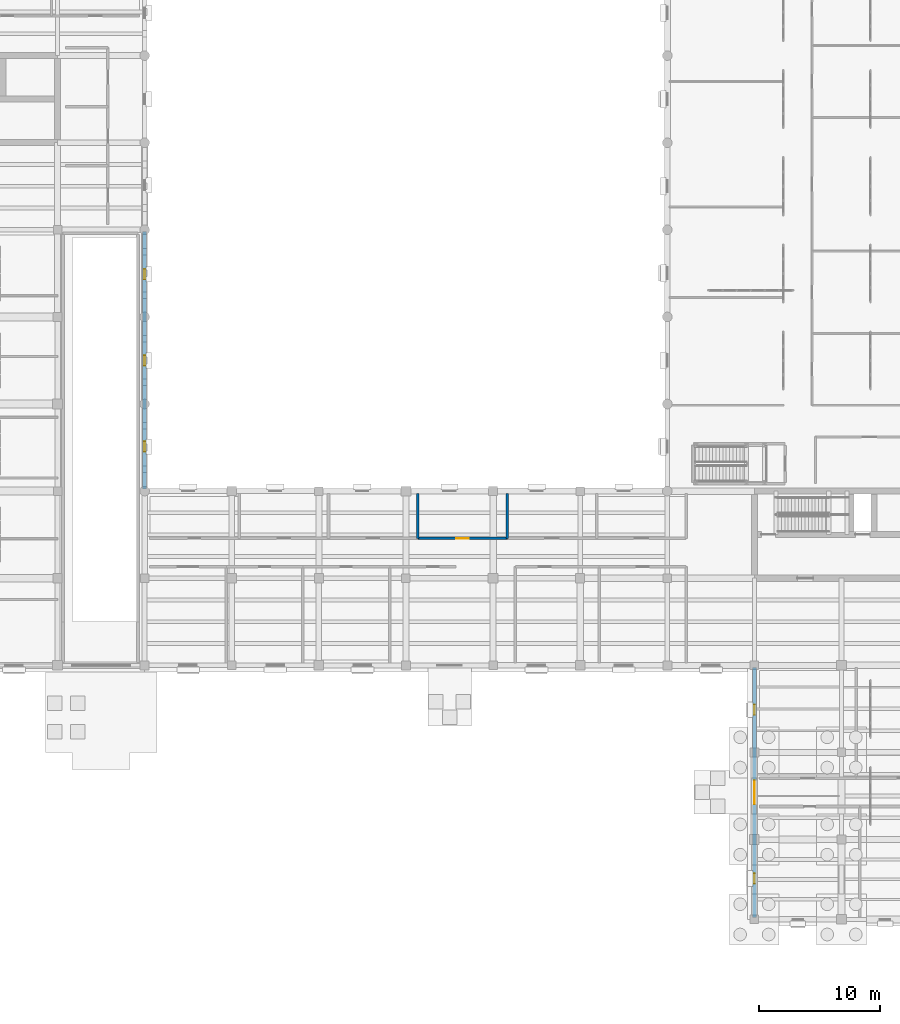
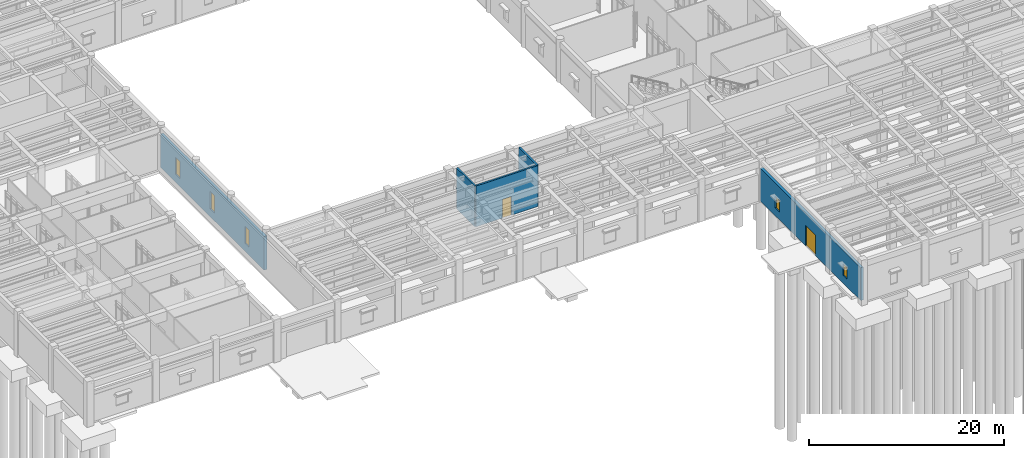
# One storey, part 69 of 100: 5 walls, 5 windows, 2 doors, 7 openings.
"""IFC4 building model written with IfcOpenShell, lengths in metres."""

from ifc_helpers import new_model, si_unit, direction, frame, frame_2d, origin, place, context, subcontext, project, spatial, rectangle, extrude, material, layer, layer_set, type_object, element, fill, save


model = new_model("IFC4")

# Units and contexts
model_context = context("Model", 3, precision=1e-05, world=origin(), true_north=direction((0.0, 1.0)))
body_context = subcontext(model_context, "Body", "Model", "MODEL_VIEW")
ifc_project = project(units=[si_unit("LENGTHUNIT", "METRE"), si_unit("AREAUNIT", "SQUARE_METRE"), si_unit("VOLUMEUNIT", "CUBIC_METRE"), si_unit("PLANEANGLEUNIT", "RADIAN"), si_unit("MASSUNIT", "GRAM", prefix="KILO")], contexts=[model_context])

# Site, building, storey
site_placement = place(None, origin())
site = spatial("IfcSite", under=ifc_project, at=site_placement, CompositionType="ELEMENT")
building_placement = place(site_placement, origin())
building = spatial("IfcBuilding", under=site, at=building_placement, Name="Mithqara Police Headquarters", CompositionType="ELEMENT")
storey_placement = place(building_placement, origin())
storey = spatial("IfcBuildingStorey", under=building, at=storey_placement, Name="L00", CompositionType="ELEMENT", Elevation=0.0)

# Wall, openings, door, windows
ifc_material_1 = material(Name="Limestone ashlar masonry, 45 MPa", Category="masonry")
ifc_layer_1 = layer(ifc_material_1, 0.320068359375, Name="Limestone ashlar masonry, 45 MPa")
ifc_layer_set_1 = layer_set([ifc_layer_1], Name="Limestone ashlar masonry, 45 MPa")
wall_type_1 = type_object("IfcWallType", Name="EXT WALL LIMESTONE320", PredefinedType="SOLIDWALL", material=ifc_layer_set_1)
wall_1_placement = place(storey_placement, frame((79.800048828125, 20.840087890625, 0.0), z_axis=(0.0, 0.0, 1.0), x_axis=(0.0, -1.0, 0.0)))
wall_1 = element("IfcWall", 1, at=wall_1_placement, inside=storey, type_object=wall_type_1, Name="L00 Exterior Wall 1.1", PredefinedType="SOLIDWALL", context=body_context, shape_type="SweptSolid", body=[
    extrude(rectangle(XDim=20.68017578125, YDim=0.320068359375, at=frame_2d((10.340087890625, 0.0))), origin(), (0.0, 0.0, 1.0), 4.1201171875),
])
opening_1_placement = place(wall_1_placement, frame((9.340087890625, 0.0, 0.0)))
opening_1 = element("IfcOpeningElement", 2, at=opening_1_placement, cuts=wall_1, Name="Opening ED-02", PredefinedType="OPENING", context=body_context, shape_type="SweptSolid", body=[
    extrude(rectangle(XDim=2.0, YDim=2.60009765625, at=frame_2d((1.0, 1.300048828125))), frame((0.0, 0.169921875, 0.0), z_axis=(0.0, -1.0, 0.0), x_axis=(1.0, 0.0, 0.0)), (0.0, 0.0, 1.0), 0.340087890625),
])
opening_2_placement = place(wall_1_placement, frame((17.034912109375, 0.0, 1.0)))
opening_2 = element("IfcOpeningElement", 3, at=opening_2_placement, cuts=wall_1, Name="Opening W-01", PredefinedType="OPENING", context=body_context, shape_type="SweptSolid", body=[
    extrude(rectangle(XDim=0.85009765625, YDim=1.39990234375, at=frame_2d((0.425048828125, 0.699951171875))), frame((0.0, 0.169921875, 0.0), z_axis=(0.0, -1.0, 0.0), x_axis=(1.0, 0.0, 0.0)), (0.0, 0.0, 1.0), 0.340087890625),
])
opening_3_placement = place(wall_1_placement, frame((3.094970703125, 0.0, 1.0)))
opening_3 = element("IfcOpeningElement", 4, at=opening_3_placement, cuts=wall_1, Name="Opening W-01", PredefinedType="OPENING", context=body_context, shape_type="SweptSolid", body=[
    extrude(rectangle(XDim=0.85009765625, YDim=1.39990234375, at=frame_2d((0.425048828125, 0.699951171875))), frame((0.0, 0.169921875, 0.0), z_axis=(0.0, -1.0, 0.0), x_axis=(1.0, 0.0, 0.0)), (0.0, 0.0, 1.0), 0.340087890625),
])
ifc_material_2 = material(Name="Bronze anodised aluminium 6063-T6", Category="aluminium")
door_type_1 = type_object("IfcDoorType", Name="EXT DOOR MAIN 2000X2600", OperationType="DOUBLE_DOOR_SINGLE_SWING", PredefinedType="DOOR", material=ifc_material_2)
door_1_placement = place(opening_1_placement, frame((2.0, 0.0, 0.0), z_axis=(0.0, 0.0, 1.0), x_axis=(-1.0, 0.0, 0.0)))
door_1 = element("IfcDoor", 5, at=door_1_placement, inside=storey, type_object=door_type_1, Name="Ground Floor Final Exit Door 1", OperationType="DOUBLE_DOOR_SINGLE_SWING", OverallHeight=2.60009765625, OverallWidth=2.0, PredefinedType="DOOR", context=body_context, shape_type="SweptSolid", body=[
    extrude(rectangle(XDim=2.0, YDim=2.60009765625, at=frame_2d((1.0, 1.300048828125))), frame((0.0, 0.02490234375, 0.0), z_axis=(0.0, -1.0, 0.0), x_axis=(1.0, 0.0, 0.0)), (0.0, 0.0, 1.0), 0.050048828125),
])
fill(opening_1, door_1)
ifc_material_3 = material(Name="Spectrally selective double low-e glass", Category="glass")
window_type_1 = type_object("IfcWindowType", Name="WINDOW 850X1400", PartitioningType="SINGLE_PANEL", PredefinedType="WINDOW", material=ifc_material_3)
window_1_placement = place(opening_2_placement, origin())
window_1 = element("IfcWindow", 6, at=window_1_placement, inside=storey, type_object=window_type_1, Name="L00 Deep-Set Punched Window 1.1", OverallHeight=1.39990234375, OverallWidth=0.85009765625, PartitioningType="SINGLE_PANEL", PredefinedType="WINDOW", context=body_context, shape_type="SweptSolid", body=[
    extrude(rectangle(XDim=0.85009765625, YDim=1.39990234375, at=frame_2d((0.425048828125, 0.699951171875))), frame((0.0, 0.030029296875, 0.0), z_axis=(0.0, -1.0, 0.0), x_axis=(1.0, 0.0, 0.0)), (0.0, 0.0, 1.0), 0.06005859375),
])
fill(opening_2, window_1)
window_2_placement = place(opening_3_placement, origin())
window_2 = element("IfcWindow", 7, at=window_2_placement, inside=storey, type_object=window_type_1, Name="L00 Deep-Set Punched Window 1.3", OverallHeight=1.39990234375, OverallWidth=0.85009765625, PartitioningType="SINGLE_PANEL", PredefinedType="WINDOW", context=body_context, shape_type="SweptSolid", body=[
    extrude(rectangle(XDim=0.85009765625, YDim=1.39990234375, at=frame_2d((0.425048828125, 0.699951171875))), frame((0.0, 0.030029296875, 0.0), z_axis=(0.0, -1.0, 0.0), x_axis=(1.0, 0.0, 0.0)), (0.0, 0.0, 1.0), 0.06005859375),
])
fill(opening_3, window_2)

# Wall, openings, windows
wall_2_placement = place(storey_placement, frame((29.39990234375, 35.56005859375, 0.0), z_axis=(0.0, 0.0, 1.0), x_axis=(0.0, 1.0, 0.0)))
wall_2 = element("IfcWall", 8, at=wall_2_placement, inside=storey, type_object=wall_type_1, Name="L00 Exterior Wall 1.1", PredefinedType="SOLIDWALL", context=body_context, shape_type="SweptSolid", body=[
    extrude(rectangle(XDim=21.280029296875, YDim=0.320068359375, at=frame_2d((10.64013671875, 0.0))), origin(), (0.0, 0.0, 1.0), 4.219970703125),
])
opening_4_placement = place(wall_2_placement, frame((3.094970703125, 0.0, 1.0)))
opening_4 = element("IfcOpeningElement", 9, at=opening_4_placement, cuts=wall_2, Name="Opening W-04", PredefinedType="OPENING", context=body_context, shape_type="SweptSolid", body=[
    extrude(rectangle(XDim=0.85009765625, YDim=2.14990234375, at=frame_2d((0.425048828125, 1.074951171875))), frame((0.0, 0.169921875, 0.0), z_axis=(0.0, -1.0, 0.0), x_axis=(1.0, 0.0, 0.0)), (0.0, 0.0, 1.0), 0.340087890625),
])
opening_5_placement = place(wall_2_placement, frame((10.215087890625, 0.0, 1.0)))
opening_5 = element("IfcOpeningElement", 10, at=opening_5_placement, cuts=wall_2, Name="Opening W-04", PredefinedType="OPENING", context=body_context, shape_type="SweptSolid", body=[
    extrude(rectangle(XDim=0.85009765625, YDim=2.14990234375, at=frame_2d((0.425048828125, 1.074951171875))), frame((0.0, 0.169921875, 0.0), z_axis=(0.0, -1.0, 0.0), x_axis=(1.0, 0.0, 0.0)), (0.0, 0.0, 1.0), 0.340087890625),
])
opening_6_placement = place(wall_2_placement, frame((17.3349609375, 0.0, 1.0)))
opening_6 = element("IfcOpeningElement", 11, at=opening_6_placement, cuts=wall_2, Name="Opening W-04", PredefinedType="OPENING", context=body_context, shape_type="SweptSolid", body=[
    extrude(rectangle(XDim=0.85009765625, YDim=2.14990234375, at=frame_2d((0.425048828125, 1.074951171875))), frame((0.0, 0.169921875, 0.0), z_axis=(0.0, -1.0, 0.0), x_axis=(1.0, 0.0, 0.0)), (0.0, 0.0, 1.0), 0.340087890625),
])
window_type_2 = type_object("IfcWindowType", Name="WINDOW 850X2150", PartitioningType="SINGLE_PANEL", PredefinedType="WINDOW", material=ifc_material_3)
window_3_placement = place(opening_4_placement, origin())
window_3 = element("IfcWindow", 12, at=window_3_placement, inside=storey, type_object=window_type_2, Name="L00 Deep-Set Punched Window 1.1", OverallHeight=2.14990234375, OverallWidth=0.85009765625, PartitioningType="SINGLE_PANEL", PredefinedType="WINDOW", context=body_context, shape_type="SweptSolid", body=[
    extrude(rectangle(XDim=0.85009765625, YDim=2.14990234375, at=frame_2d((0.425048828125, 1.074951171875))), frame((0.0, 0.030029296875, 0.0), z_axis=(0.0, -1.0, 0.0), x_axis=(1.0, 0.0, 0.0)), (0.0, 0.0, 1.0), 0.06005859375),
])
fill(opening_4, window_3)
window_4_placement = place(opening_5_placement, origin())
window_4 = element("IfcWindow", 13, at=window_4_placement, inside=storey, type_object=window_type_2, Name="L00 Deep-Set Punched Window 1.2", OverallHeight=2.14990234375, OverallWidth=0.85009765625, PartitioningType="SINGLE_PANEL", PredefinedType="WINDOW", context=body_context, shape_type="SweptSolid", body=[
    extrude(rectangle(XDim=0.85009765625, YDim=2.14990234375, at=frame_2d((0.425048828125, 1.074951171875))), frame((0.0, 0.030029296875, 0.0), z_axis=(0.0, -1.0, 0.0), x_axis=(1.0, 0.0, 0.0)), (0.0, 0.0, 1.0), 0.06005859375),
])
fill(opening_5, window_4)
window_5_placement = place(opening_6_placement, origin())
window_5 = element("IfcWindow", 14, at=window_5_placement, inside=storey, type_object=window_type_2, Name="L00 Deep-Set Punched Window 1.3", OverallHeight=2.14990234375, OverallWidth=0.85009765625, PartitioningType="SINGLE_PANEL", PredefinedType="WINDOW", context=body_context, shape_type="SweptSolid", body=[
    extrude(rectangle(XDim=0.85009765625, YDim=2.14990234375, at=frame_2d((0.425048828125, 1.074951171875))), frame((0.0, 0.030029296875, 0.0), z_axis=(0.0, -1.0, 0.0), x_axis=(1.0, 0.0, 0.0)), (0.0, 0.0, 1.0), 0.06005859375),
])
fill(opening_6, window_5)

# Wall
ifc_material_4 = material(Name="Concrete C40/50", Category="concrete")
ifc_layer_2 = layer(ifc_material_4, 0.2099609375, Name="Concrete C40/50")
ifc_layer_set_2 = layer_set([ifc_layer_2], Name="Concrete C40/50")
wall_type_2 = type_object("IfcWallType", Name="PART WALL 210", PredefinedType="PARTITIONING", material=ifc_layer_set_2)
wall_3_placement = place(storey_placement, frame((51.985107421875, 31.489990234375, 0.0), z_axis=(0.0, 0.0, 1.0), x_axis=(0.0, 1.0, 0.0)))
element("IfcWall", 15, at=wall_3_placement, inside=storey, type_object=wall_type_2, Name="L00 Room Partition Lost and Found Counter", PredefinedType="PARTITIONING", context=body_context, shape_type="SweptSolid", body=[
    extrude(rectangle(XDim=3.72998046875, YDim=0.2099609375, at=frame_2d((1.864990234375, 0.0))), origin(), (0.0, 0.0, 1.0), 5.1201171875),
])

# Wall, opening, door
wall_4_placement = place(storey_placement, frame((51.985107421875, 31.489990234375, 0.0), z_axis=(0.0, 0.0, 1.0), x_axis=(1.0, 0.0, 0.0)))
wall_4 = element("IfcWall", 16, at=wall_4_placement, inside=storey, type_object=wall_type_2, Name="L00 Corridor Wall Victim Support Consultation Room", PredefinedType="PARTITIONING", context=body_context, shape_type="SweptSolid", body=[
    extrude(rectangle(XDim=7.387939453125, YDim=0.2099609375, at=frame_2d((3.69384765625, 0.0))), origin(), (0.0, 0.0, 1.0), 5.1201171875),
])
opening_7_placement = place(wall_4_placement, frame((3.174072265625, 0.0, 0.0)))
opening_7 = element("IfcOpeningElement", 17, at=opening_7_placement, cuts=wall_4, Name="Opening D-09", PredefinedType="OPENING", context=body_context, shape_type="SweptSolid", body=[
    extrude(rectangle(XDim=1.0400390625, YDim=2.35009765625, at=frame_2d((0.52001953125, 1.175048828125))), frame((0.0, 0.114990234375, 0.0), z_axis=(0.0, -1.0, 0.0), x_axis=(1.0, 0.0, 0.0)), (0.0, 0.0, 1.0), 0.22998046875),
])
ifc_material_5 = material(Name="Acoustic solid-core timber leaf", Category="wood")
door_type_2 = type_object("IfcDoorType", Name="INT DOOR 1040X2350", OperationType="NOTDEFINED", PredefinedType="DOOR", material=ifc_material_5)
door_2_placement = place(opening_7_placement, origin())
door_2 = element("IfcDoor", 18, at=door_2_placement, inside=storey, type_object=door_type_2, Name="Victim Support Consultation Room Entry Door", OperationType="SINGLE_SWING_RIGHT", OverallHeight=2.35009765625, OverallWidth=1.0400390625, PredefinedType="DOOR", context=body_context, shape_type="SweptSolid", body=[
    extrude(rectangle(XDim=1.0400390625, YDim=2.35009765625, at=frame_2d((0.52001953125, 1.175048828125))), frame((0.0, 0.02490234375, 0.0), z_axis=(0.0, -1.0, 0.0), x_axis=(1.0, 0.0, 0.0)), (0.0, 0.0, 1.0), 0.050048828125),
])
fill(opening_7, door_2)

# Wall
wall_5_placement = place(storey_placement, frame((59.373046875, 31.489990234375, 0.0), z_axis=(0.0, 0.0, 1.0), x_axis=(0.0, 1.0, 0.0)))
element("IfcWall", 19, at=wall_5_placement, inside=storey, type_object=wall_type_2, Name="L00 Room Partition Victim Support Consultation Room", PredefinedType="PARTITIONING", context=body_context, shape_type="SweptSolid", body=[
    extrude(rectangle(XDim=3.72998046875, YDim=0.2099609375, at=frame_2d((1.864990234375, 0.0))), origin(), (0.0, 0.0, 1.0), 5.1201171875),
])

save(model, "model.ifc")
